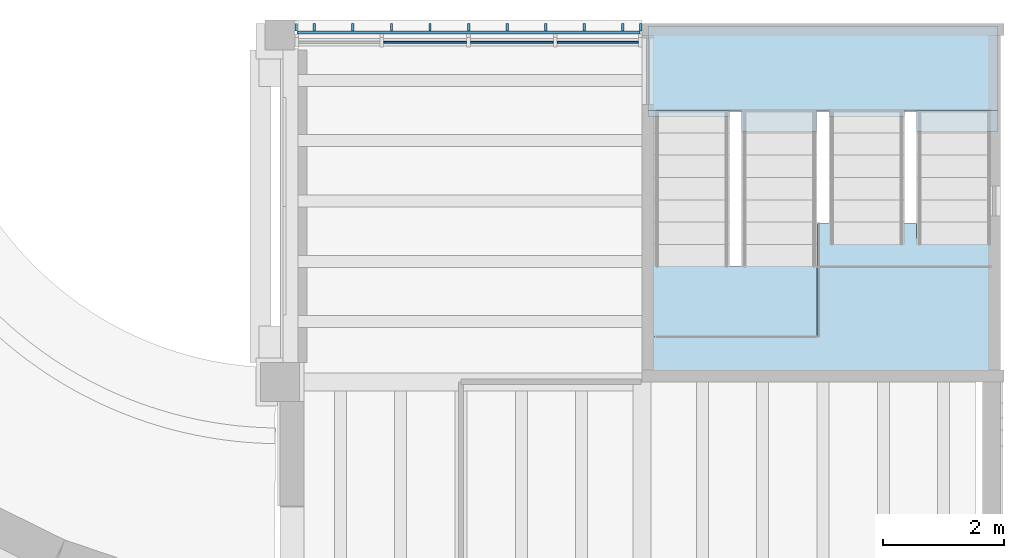
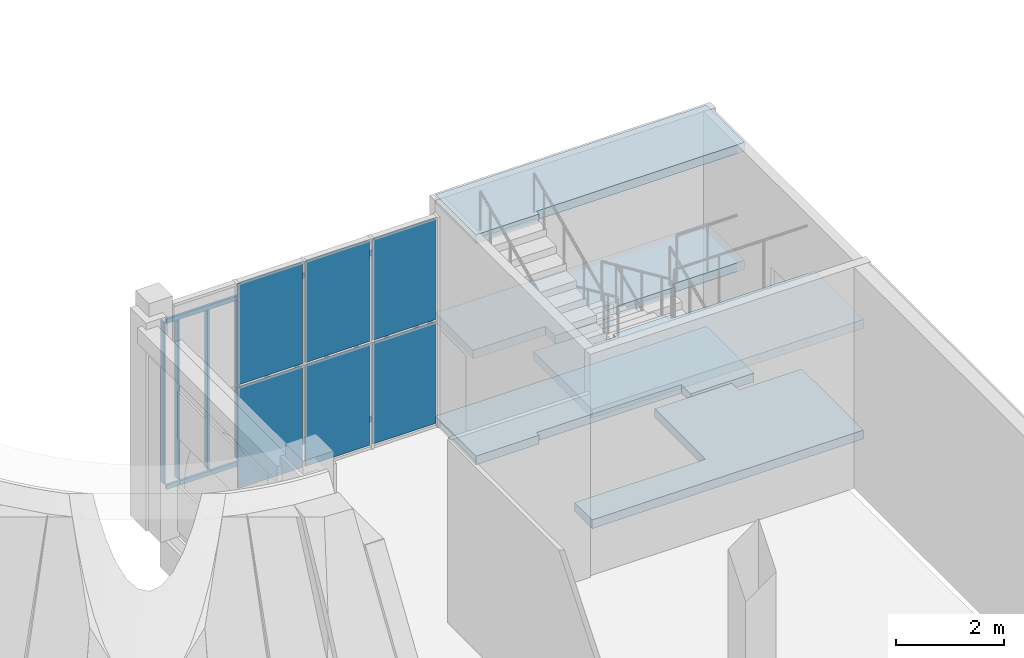
# One storey, part 36 of 80: 19 plates, 5 slabs, 2 elements without a shape of their own.
"""IFC4 building model written with IfcOpenShell, lengths in metres."""

from ifc_helpers import new_model, si_unit, direction, frame, origin, origin_2d, place, context, subcontext, project, spatial, polyline, rectangle, outline, extrude, material, layer, layer_set, type_object, element, aggregate, save


model = new_model("IFC4")

# Units and contexts
model_context = context("Model", 3, precision=1e-05, world=origin(), true_north=direction((0.0, 1.0)))
body_context = subcontext(model_context, "Body", "Model", "MODEL_VIEW")
ifc_project = project(units=[si_unit("LENGTHUNIT", "METRE"), si_unit("AREAUNIT", "SQUARE_METRE"), si_unit("VOLUMEUNIT", "CUBIC_METRE"), si_unit("PLANEANGLEUNIT", "RADIAN"), si_unit("MASSUNIT", "GRAM", prefix="KILO")], contexts=[model_context])

# Site, building, storey
site_placement = place(None, origin())
site = spatial("IfcSite", under=ifc_project, at=site_placement, CompositionType="ELEMENT")
building_placement = place(site_placement, origin())
building = spatial("IfcBuilding", under=site, at=building_placement, Name="Saffron Lane Theatres", CompositionType="ELEMENT")
storey_placement = place(building_placement, frame((0.0, 0.0, 7.0)))
storey = spatial("IfcBuildingStorey", under=building, at=storey_placement, Name="L01", CompositionType="ELEMENT", Elevation=7.0)

# Curtain wall, plates
ifc_material_1 = material(Name="Aluminium", Category="aluminium")
curtain_wall_type = type_object("IfcCurtainWallType", Name="EX-CURTAIN WALL 5750x4750x160", PredefinedType="NOTDEFINED", material=ifc_material_1)
curtain_wall_placement = place(storey_placement, origin())
curtain_wall = element("IfcCurtainWall", 1, at=curtain_wall_placement, inside=storey, type_object=curtain_wall_type, Name="Curtain wall L01 09", PredefinedType="NOTDEFINED")
ifc_material_2 = material(Name="Glass", Category="glass")
ifc_layer_1 = layer(ifc_material_2, 0.028076171875)
ifc_layer_set_1 = layer_set([ifc_layer_1], Name="Glass")
plate_type_1 = type_object("IfcPlateType", Name="EX-CW PANEL GLAZING 28", PredefinedType="CURTAIN_PANEL", material=ifc_layer_set_1)
plate_1_placement = place(storey_placement, frame((56.40625, 125.6298828125, 0.06005859375), z_axis=(0.0, 0.0, 1.0), x_axis=(1.0, 0.0, 0.0)))
plate_1 = element("IfcPlate", 2, at=plate_1_placement, type_object=plate_type_1, Name="CW-01-09 panel 2.1", PredefinedType="CURTAIN_PANEL", context=body_context, shape_type="SweptSolid", body=[
    extrude(rectangle(XDim=1.37744140625, YDim=0.028076171875, at=origin_2d()), origin(), (0.0, 0.0, 1.0), 2.284912109375),
])
plate_2_placement = place(storey_placement, frame((56.40625, 125.6298828125, 2.4052734375), z_axis=(0.0, 0.0, 1.0), x_axis=(1.0, 0.0, 0.0)))
plate_2 = element("IfcPlate", 3, at=plate_2_placement, type_object=plate_type_1, Name="CW-01-09 panel 2.2", PredefinedType="CURTAIN_PANEL", context=body_context, shape_type="SweptSolid", body=[
    extrude(rectangle(XDim=1.37744140625, YDim=0.028076171875, at=origin_2d()), origin(), (0.0, 0.0, 1.0), 2.284912109375),
])
plate_3_placement = place(storey_placement, frame((57.84375, 125.6298828125, 0.06005859375), z_axis=(0.0, 0.0, 1.0), x_axis=(1.0, 0.0, 0.0)))
plate_3 = element("IfcPlate", 4, at=plate_3_placement, type_object=plate_type_1, Name="CW-01-09 panel 3.1", PredefinedType="CURTAIN_PANEL", context=body_context, shape_type="SweptSolid", body=[
    extrude(rectangle(XDim=1.37744140625, YDim=0.028076171875, at=origin_2d()), origin(), (0.0, 0.0, 1.0), 2.284912109375),
])
plate_4_placement = place(storey_placement, frame((57.84375, 125.6298828125, 2.4052734375), z_axis=(0.0, 0.0, 1.0), x_axis=(1.0, 0.0, 0.0)))
plate_4 = element("IfcPlate", 5, at=plate_4_placement, type_object=plate_type_1, Name="CW-01-09 panel 3.2", PredefinedType="CURTAIN_PANEL", context=body_context, shape_type="SweptSolid", body=[
    extrude(rectangle(XDim=1.37744140625, YDim=0.028076171875, at=origin_2d()), origin(), (0.0, 0.0, 1.0), 2.284912109375),
])
plate_5_placement = place(storey_placement, frame((59.266357421875, 125.6298828125, 0.06005859375), z_axis=(0.0, 0.0, 1.0), x_axis=(1.0, 0.0, 0.0)))
plate_5 = element("IfcPlate", 6, at=plate_5_placement, type_object=plate_type_1, Name="CW-01-09 panel 4.1", PredefinedType="CURTAIN_PANEL", context=body_context, shape_type="SweptSolid", body=[
    extrude(rectangle(XDim=1.347412109375, YDim=0.028076171875, at=origin_2d()), origin(), (0.0, 0.0, 1.0), 2.284912109375),
])
plate_6_placement = place(storey_placement, frame((59.266357421875, 125.6298828125, 2.4052734375), z_axis=(0.0, 0.0, 1.0), x_axis=(1.0, 0.0, 0.0)))
plate_6 = element("IfcPlate", 7, at=plate_6_placement, type_object=plate_type_1, Name="CW-01-09 panel 4.2", PredefinedType="CURTAIN_PANEL", context=body_context, shape_type="SweptSolid", body=[
    extrude(rectangle(XDim=1.347412109375, YDim=0.028076171875, at=origin_2d()), origin(), (0.0, 0.0, 1.0), 2.284912109375),
])
aggregate(curtain_wall, [plate_1, plate_2, plate_3, plate_4, plate_5, plate_6])

# Plates
ifc_material_3 = material(Name="Aluminium", Category="aluminium")
ifc_layer_2 = layer(ifc_material_3, 0.050048828125)
ifc_layer_set_2 = layer_set([ifc_layer_2], Name="Aluminium")
plate_type_2 = type_object("IfcPlateType", Name="EX-LATTICE RAIL 50x100", PredefinedType="SHEET", material=ifc_layer_set_2)
for number, where, z_axis, x_axis, name in (
    (8, (57.125, 125.794921875, 0.449951171875), (0.0, 0.0, 1.0), (1.0, 0.0, 0.0), "Lattice rail L01-02B"),
    (9, (57.125, 125.794921875, 4.199951171875), (0.0, 0.0, 1.0), (1.0, 0.0, 0.0), "Lattice rail L01-02T"),
):
    element("IfcPlate", number, at=place(storey_placement, frame(where, z_axis=z_axis, x_axis=x_axis)), inside=storey, type_object=plate_type_2, Name=name, PredefinedType="SHEET", context=body_context, shape_type="SweptSolid", body=[
        extrude(rectangle(XDim=5.68994140625, YDim=0.050048828125, at=origin_2d()), origin(), (0.0, 0.0, 1.0), 0.10009765625),
    ])
ifc_material_4 = material(Name="Aluminium", Category="aluminium")
ifc_layer_3 = layer(ifc_material_4, 0.0400390625)
ifc_layer_set_3 = layer_set([ifc_layer_3], Name="Aluminium")
plate_type_3 = type_object("IfcPlateType", Name="EX-LATTICE SLAT 40x120", PredefinedType="SHEET", material=ifc_layer_set_3)
for number, where, z_axis, x_axis, name in (
    (10, (54.5693359375, 125.8798828125, 0.550048828125), (0.0, 0.0, 1.0), (1.0, 0.0, 0.0), "Lattice slat L01-02.1"),
    (11, (55.208251953125, 125.8798828125, 0.550048828125), (0.0, 0.0, 1.0), (1.0, 0.0, 0.0), "Lattice slat L01-02.2"),
    (12, (55.84716796875, 125.8798828125, 0.550048828125), (0.0, 0.0, 1.0), (1.0, 0.0, 0.0), "Lattice slat L01-02.3"),
    (13, (56.486083984375, 125.8798828125, 0.550048828125), (0.0, 0.0, 1.0), (1.0, 0.0, 0.0), "Lattice slat L01-02.4"),
    (14, (57.125, 125.8798828125, 0.550048828125), (0.0, 0.0, 1.0), (1.0, 0.0, 0.0), "Lattice slat L01-02.5"),
    (15, (57.763916015625, 125.8798828125, 0.550048828125), (0.0, 0.0, 1.0), (1.0, 0.0, 0.0), "Lattice slat L01-02.6"),
    (16, (58.40283203125, 125.8798828125, 0.550048828125), (0.0, 0.0, 1.0), (1.0, 0.0, 0.0), "Lattice slat L01-02.7"),
    (17, (59.041748046875, 125.8798828125, 0.550048828125), (0.0, 0.0, 1.0), (1.0, 0.0, 0.0), "Lattice slat L01-02.8"),
    (18, (59.6806640625, 125.8798828125, 0.550048828125), (0.0, 0.0, 1.0), (1.0, 0.0, 0.0), "Lattice slat L01-02.9"),
    (19, (54.27001953125, 125.8798828125, 0.550048828125), (0.0, 0.0, 1.0), (1.0, 0.0, 0.0), "Lattice end stile L01-02.E0"),
    (20, (59.97998046875, 125.8798828125, 0.550048828125), (0.0, 0.0, 1.0), (1.0, 0.0, 0.0), "Lattice end stile L01-02.E1"),
):
    element("IfcPlate", number, at=place(storey_placement, frame(where, z_axis=z_axis, x_axis=x_axis)), inside=storey, type_object=plate_type_3, Name=name, PredefinedType="SHEET", context=body_context, shape_type="SweptSolid", body=[
        extrude(rectangle(XDim=0.0400390625, YDim=0.1201171875, at=origin_2d()), origin(), (0.0, 0.0, 1.0), 3.64990234375),
    ])

# Stair, slabs
ifc_material_5 = material(Name="Concrete N40 (40 MPa)", Category="concrete")
stair_type = type_object("IfcStairType", Name="VC-STAIR EXIT", PredefinedType="TWO_STRAIGHT_RUN_STAIR", material=ifc_material_5)
stair_placement = place(storey_placement, origin())
stair = element("IfcStair", 21, at=stair_placement, inside=storey, type_object=stair_type, Name="East Wing Street Stair L01 to L02", PredefinedType="TWO_STRAIGHT_RUN_STAIR")
ifc_material_6 = material(Name="Concrete N40 (40 MPa)", Category="concrete")
ifc_layer_4 = layer(ifc_material_6, 0.199951171875)
ifc_layer_set_4 = layer_set([ifc_layer_4], Name="Concrete N40 (40 MPa)")
slab_type = type_object("IfcSlabType", Name="VC-LANDING 200", PredefinedType="LANDING", material=ifc_layer_set_4)
slab_1_placement = place(storey_placement, frame((0.0, 0.0, -0.199951171875)))
slab_1 = element("IfcSlab", 22, at=slab_1_placement, type_object=slab_type, Name="ST36 landing 1", PredefinedType="LANDING", context=body_context, shape_type="SweptSolid", body=[
    extrude(outline(polyline([(60.10009765625, 125.89990234375), (65.89990234375, 125.89990234375), (65.89990234375, 124.14990234375), (64.550048828125, 124.14990234375), (64.550048828125, 124.5), (61.449951171875, 124.5), (61.449951171875, 124.39990234375), (60.10009765625, 124.39990234375), (60.10009765625, 124.5), (60.10009765625, 124.5), (60.10009765625, 125.89990234375)])), origin(), (0.0, 0.0, 1.0), 0.199951171875),
])
slab_2_placement = place(storey_placement, frame((0.0, 0.0, 0.966552734375)))
slab_2 = element("IfcSlab", 23, at=slab_2_placement, type_object=slab_type, Name="ST36 landing 2", PredefinedType="LANDING", context=body_context, shape_type="SweptSolid", body=[
    extrude(outline(polyline([(62.89990234375, 122.6298828125), (64.550048828125, 122.6298828125), (64.550048828125, 122.3798828125), (65.89990234375, 122.3798828125), (65.89990234375, 120.10009765625), (60.10009765625, 120.10009765625), (60.10009765625, 120.75), (62.89990234375, 120.75), (62.89990234375, 122.6298828125)])), origin(), (0.0, 0.0, 1.0), 0.2001953125),
])
slab_3_placement = place(storey_placement, frame((0.0, 0.0, 2.13330078125)))
slab_3 = element("IfcSlab", 24, at=slab_3_placement, type_object=slab_type, Name="ST36 landing 3", PredefinedType="LANDING", context=body_context, shape_type="SweptSolid", body=[
    extrude(outline(polyline([(60.10009765625, 124.5), (60.10009765625, 125.89990234375), (65.89990234375, 125.89990234375), (65.89990234375, 124.5), (64.35009765625, 124.5), (64.35009765625, 124.39990234375), (63.10009765625, 124.39990234375), (63.10009765625, 124.5), (62.89990234375, 124.5), (62.89990234375, 124.14990234375), (61.64990234375, 124.14990234375), (61.64990234375, 124.5), (60.10009765625, 124.5)])), origin(), (0.0, 0.0, 1.0), 0.199951171875),
])
slab_4_placement = place(storey_placement, frame((0.0, 0.0, 3.466552734375)))
slab_4 = element("IfcSlab", 25, at=slab_4_placement, type_object=slab_type, Name="ST36 landing 4", PredefinedType="LANDING", context=body_context, shape_type="SweptSolid", body=[
    extrude(outline(polyline([(61.449951171875, 121.909912109375), (61.64990234375, 121.909912109375), (61.64990234375, 122.010009765625), (62.89990234375, 122.010009765625), (62.89990234375, 121.909912109375), (65.89990234375, 121.909912109375), (65.89990234375, 120.10009765625), (60.10009765625, 120.10009765625), (60.10009765625, 122.260009765625), (61.449951171875, 122.260009765625), (61.449951171875, 121.909912109375)])), origin(), (0.0, 0.0, 1.0), 0.2001953125),
])
slab_5_placement = place(storey_placement, frame((0.0, 0.0, 4.800048828125)))
slab_5 = element("IfcSlab", 26, at=slab_5_placement, type_object=slab_type, Name="ST36 landing 5", PredefinedType="LANDING", context=body_context, shape_type="SweptSolid", body=[
    extrude(outline(polyline([(60.10009765625, 125.89990234375), (65.89990234375, 125.89990234375), (65.89990234375, 124.5), (61.449951171875, 124.5), (61.449951171875, 124.39990234375), (60.10009765625, 124.39990234375), (60.10009765625, 124.5), (60.10009765625, 124.5), (60.10009765625, 125.89990234375)])), origin(), (0.0, 0.0, 1.0), 0.199951171875),
])
aggregate(stair, [slab_1, slab_2, slab_3, slab_4, slab_5])

save(model, "model.ifc")
